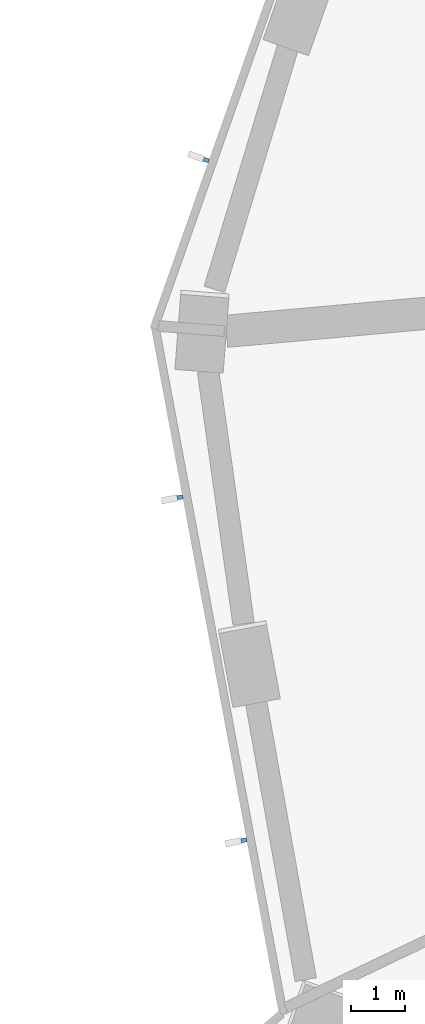
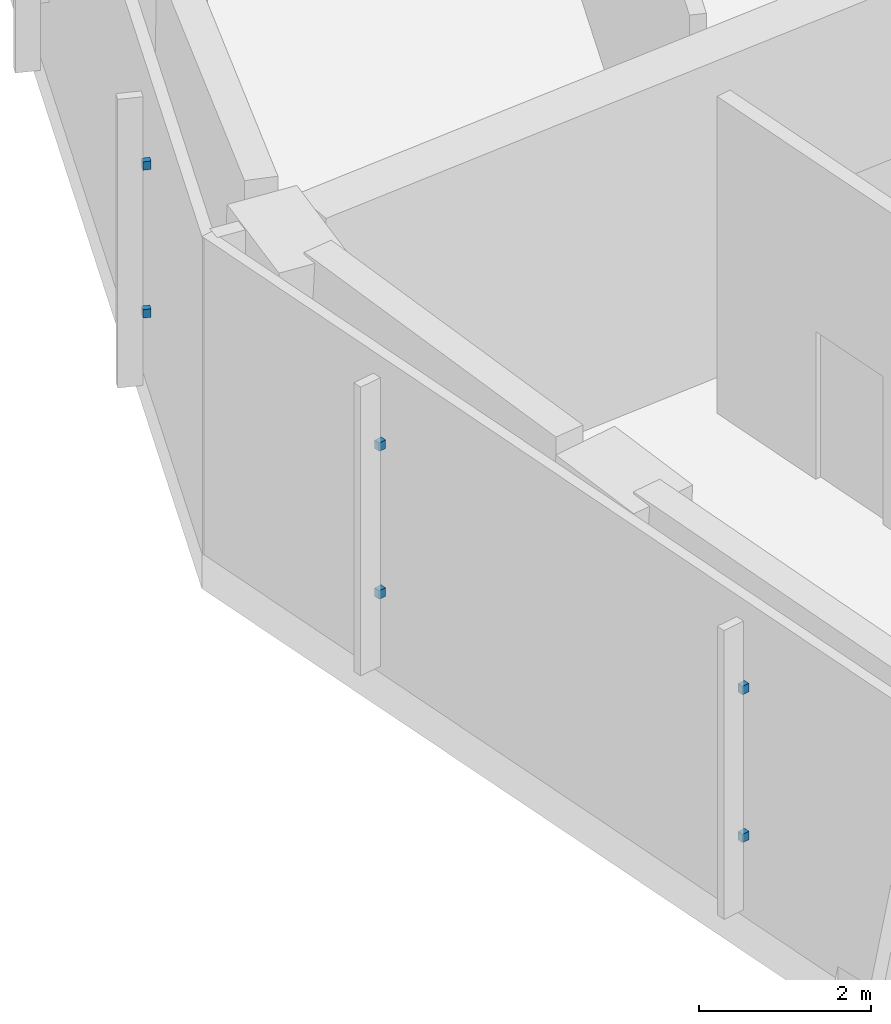
# One storey, part 7 of 20: 6 discrete accessories.
"""IFC4 building model written with IfcOpenShell, lengths in metres."""

from ifc_helpers import new_model, si_unit, direction, frame, origin, origin_2d, place, context, subcontext, project, spatial, rectangle, extrude, element, save


model = new_model("IFC4")

# Units and contexts
model_context = context("Model", 3, precision=1e-05, world=origin(), true_north=direction((0.0, 1.0)))
body_context = subcontext(model_context, "Body", "Model", "MODEL_VIEW")
ifc_project = project(units=[si_unit("LENGTHUNIT", "METRE"), si_unit("AREAUNIT", "SQUARE_METRE"), si_unit("VOLUMEUNIT", "CUBIC_METRE"), si_unit("PLANEANGLEUNIT", "RADIAN"), si_unit("MASSUNIT", "GRAM", prefix="KILO")], contexts=[model_context])

# Site, building, storey
site_placement = place(None, origin())
site = spatial("IfcSite", under=ifc_project, at=site_placement, CompositionType="ELEMENT")
building_placement = place(site_placement, origin())
building = spatial("IfcBuilding", under=site, at=building_placement, Name="Verdalira Terraces Hotel", CompositionType="ELEMENT")
storey_placement = place(building_placement, frame((0.0, 0.0, 75.0)))
storey = spatial("IfcBuildingStorey", under=building, at=storey_placement, Name="L17", CompositionType="ELEMENT", Elevation=75.0)

# Discrete accessories
for number, where, z_axis, x_axis, name in (
    (1, (-24.00415, 5.025635, 1.139893), (0.0, 0.0, 1.0), (-0.332819545, -0.942990536, 0.0), "Fin bracket"),
    (2, (-24.00415, 5.025635, 3.23999), (0.0, 0.0, 1.0), (-0.332819545, -0.942990536, 0.0), "Fin bracket"),
    (3, (-24.492188, -1.26001, 1.139893), (0.0, 0.0, 1.0), (0.183265088, -0.983063532, 0.0), "Fin bracket"),
    (4, (-24.492188, -1.26001, 3.23999), (0.0, 0.0, 1.0), (0.183265088, -0.983063532, 0.0), "Fin bracket"),
    (5, (-23.301025, -7.649902, 1.139893), (0.0, 0.0, 1.0), (0.183265088, -0.983063532, 0.0), "Fin bracket"),
    (6, (-23.301025, -7.649902, 3.23999), (0.0, 0.0, 1.0), (0.183265088, -0.983063532, 0.0), "Fin bracket"),
):
    element("IfcDiscreteAccessory", number, at=place(storey_placement, frame(where, z_axis=z_axis, x_axis=x_axis)), inside=storey, Name=name, PredefinedType="BRACKET", context=body_context, shape_type="SweptSolid", body=[
        extrude(rectangle(XDim=0.080078, YDim=0.100098, at=origin_2d()), origin(), (0.0, 0.0, 1.0), 0.120117),
    ])

save(model, "model.ifc")
